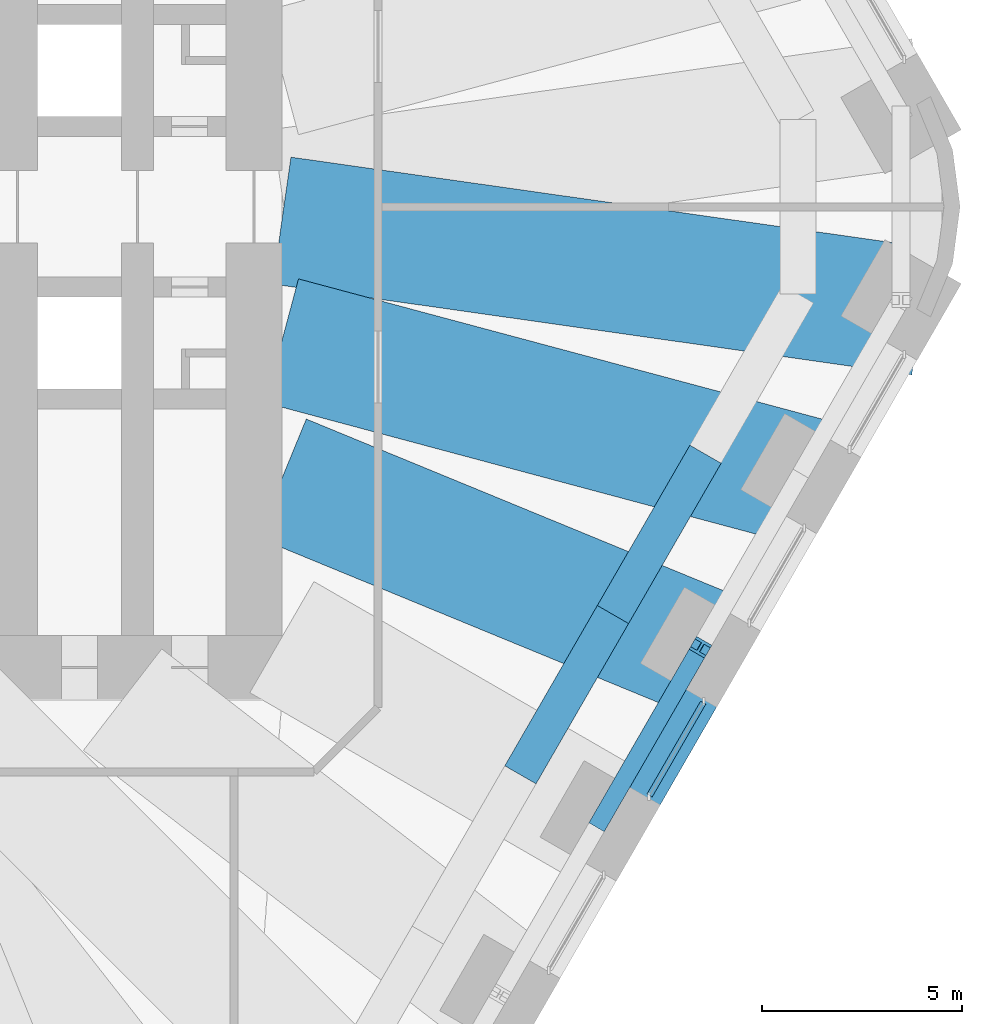
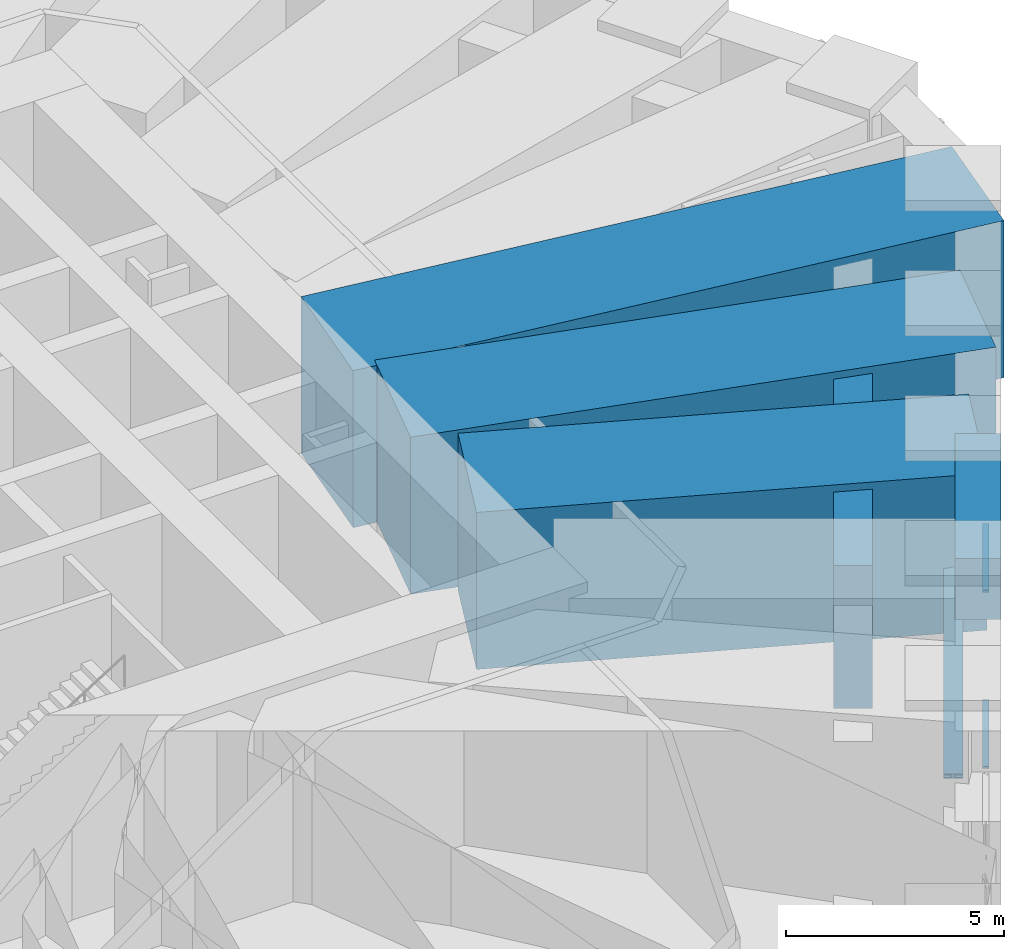
# One storey, part 5 of 16: 6 beams, 3 members, 1 element without a shape of its own.
"""IFC4 building model written with IfcOpenShell, lengths in metres."""

from ifc_helpers import new_model, si_unit, direction, frame, origin, origin_2d, place, context, subcontext, project, spatial, rectangle, i_section, extrude, material, material_profile, profile_set, type_object, element, aggregate, save


model = new_model("IFC4")

# Units and contexts
model_context = context("Model", 3, precision=1e-05, world=origin(), true_north=direction((0.0, 1.0)))
body_context = subcontext(model_context, "Body", "Model", "MODEL_VIEW")
ifc_project = project(units=[si_unit("LENGTHUNIT", "METRE"), si_unit("AREAUNIT", "SQUARE_METRE"), si_unit("VOLUMEUNIT", "CUBIC_METRE"), si_unit("PLANEANGLEUNIT", "RADIAN"), si_unit("MASSUNIT", "GRAM", prefix="KILO")], contexts=[model_context])

# Site, building, storey
site_placement = place(None, origin())
site = spatial("IfcSite", under=ifc_project, at=site_placement, CompositionType="ELEMENT")
building_placement = place(site_placement, origin())
building = spatial("IfcBuilding", under=site, at=building_placement, Name="Tarfa Lantern Tower", CompositionType="ELEMENT")
storey_placement = place(building_placement, frame((0.0, 0.0, 203.5)))
storey = spatial("IfcBuildingStorey", under=building, at=storey_placement, Name="L46", CompositionType="ELEMENT", Elevation=203.5)

# Member
ifc_material_1 = material(Name="Steel S460M", Category="steel")
ifc_material_profile_1 = material_profile(ifc_material_1, i_section(OverallWidth=0.44189453125, OverallDepth=0.531005859375, WebThickness=0.06591796875, FlangeThickness=0.10595703125, FilletRadius=0.02001953125, at=origin_2d()), Name="HD400x900")
ifc_profile_set_1 = profile_set([ifc_material_profile_1], Name="Steel S460M")
member_type_1 = type_object("IfcMemberType", Name="BT2 HD400x900", PredefinedType="BRACE", material=ifc_profile_set_1)
member_1_placement = place(storey_placement, frame((26.543701171875, -15.324951171875, 0.60009765625), z_axis=(0.360813525196, 0.624971138743, 0.69226055483), x_axis=(-0.866033642122, 0.49998573051, 0.0)))
element("IfcMember", 1, at=member_1_placement, inside=storey, type_object=member_type_1, Name="Belt truss diagonal 39", PredefinedType="BRACE", context=body_context, shape_type="SweptSolid", body=[
    extrude(i_section(OverallWidth=0.44189453125, OverallDepth=0.531005859375, WebThickness=0.06591796875, FlangeThickness=0.10595703125, FilletRadius=0.02001953125, at=origin_2d()), origin(), (0.0, 0.0, 1.0), 6.93359375),
])

# Curtain wall, members
ifc_material_2 = material(Name="Aluminium framed curtain wall", Category="aluminium")
curtain_wall_type = type_object("IfcCurtainWallType", Name="CW6 LOUVRED SCREEN WALL 5000", PredefinedType="USERDEFINED", material=ifc_material_2)
curtain_wall_placement = place(storey_placement, origin())
curtain_wall = element("IfcCurtainWall", 2, at=curtain_wall_placement, inside=storey, type_object=curtain_wall_type, Name="CW6 SE L46", ObjectType="CURTAIN WALL", PredefinedType="USERDEFINED")
ifc_material_3 = material(Name="Aluminium transom", Category="aluminium")
ifc_material_profile_2 = material_profile(ifc_material_3, rectangle(XDim=0.14990234375, YDim=0.06494140625, at=origin_2d()), Name="AL TRANSOM 150x65")
ifc_profile_set_2 = profile_set([ifc_material_profile_2], Name="Aluminium transom")
member_type_2 = type_object("IfcMemberType", Name="CWT1 TRANSOM 150x65", PredefinedType="USERDEFINED", material=ifc_profile_set_2)
member_2_placement = place(storey_placement, frame((27.775634765625, -14.691162109375, 0.032470703125), z_axis=(0.499988543184, 0.866032018279, 0.0), x_axis=(-0.866032018279, 0.499988543184, 0.0)))
member_2 = element("IfcMember", 3, at=member_2_placement, type_object=member_type_2, Name="CW6 transom 1.1", ObjectType="TRANSOM", PredefinedType="USERDEFINED", context=body_context, shape_type="SweptSolid", body=[
    extrude(rectangle(XDim=0.14990234375, YDim=0.06494140625, at=origin_2d()), origin(), (0.0, 0.0, 1.0), 2.673828125),
])
member_3_placement = place(storey_placement, frame((27.775634765625, -14.691162109375, 4.967529296875), z_axis=(0.499988543184, 0.866032018279, 0.0), x_axis=(-0.866032018279, 0.499988543184, 0.0)))
member_3 = element("IfcMember", 4, at=member_3_placement, type_object=member_type_2, Name="CW6 transom 1.2", ObjectType="TRANSOM", PredefinedType="USERDEFINED", context=body_context, shape_type="SweptSolid", body=[
    extrude(rectangle(XDim=0.14990234375, YDim=0.06494140625, at=origin_2d()), origin(), (0.0, 0.0, 1.0), 2.673828125),
])
aggregate(curtain_wall, [member_2, member_3])

# Beams
ifc_material_4 = material(Name="Concrete C80/95", Category="concrete")
ifc_material_profile_3 = material_profile(ifc_material_4, rectangle(XDim=1.050048828125, YDim=1.699951171875, at=origin_2d()), Name="RC 1050x1700")
ifc_profile_set_3 = profile_set([ifc_material_profile_3], Name="Concrete C80/95")
beam_type_1 = type_object("IfcBeamType", Name="RB2 RC 1050x1700", PredefinedType="BEAM", material=ifc_profile_set_3)
beam_1_placement = place(storey_placement, frame((27.037353515625, -15.610107421875, 5.85009765625), z_axis=(0.499964603504, 0.866045838996, 0.0), x_axis=(-0.866045838996, 0.499964603504, 0.0)))
element("IfcBeam", 5, at=beam_1_placement, inside=storey, type_object=beam_type_1, Name="Edge beam SE3", PredefinedType="BEAM", context=body_context, shape_type="SweptSolid", body=[
    extrude(rectangle(XDim=1.050048828125, YDim=1.699951171875, at=origin_2d()), origin(), (0.0, 0.0, 1.0), 5.003662109375),
])
ifc_material_profile_4 = material_profile(ifc_material_4, rectangle(XDim=0.89990234375, YDim=4.0, at=origin_2d()), Name="RC 900x4000")
ifc_profile_set_4 = profile_set([ifc_material_profile_4], Name="Concrete C80/95")
beam_type_2 = type_object("IfcBeamType", Name="RG2 RC 900x4000", PredefinedType="BEAM", material=ifc_profile_set_4)
beam_2_placement = place(storey_placement, frame((24.5517578125, -14.175048828125, 4.5), z_axis=(0.500027479704, 0.866009537788, 0.0), x_axis=(-0.866009537788, 0.500027479704, 0.0)))
element("IfcBeam", 6, at=beam_2_placement, inside=storey, type_object=beam_type_2, Name="Ring girder SE3", PredefinedType="BEAM", context=body_context, shape_type="SweptSolid", body=[
    extrude(rectangle(XDim=0.89990234375, YDim=4.0, at=origin_2d()), origin(), (0.0, 0.0, 1.0), 4.618896484375),
])
beam_3_placement = place(storey_placement, frame((26.861328125, -10.175048828125, 4.5), z_axis=(0.499987836815, 0.866032426089, 0.0), x_axis=(-0.866032426089, 0.499987836815, 0.0)))
element("IfcBeam", 7, at=beam_3_placement, inside=storey, type_object=beam_type_2, Name="Ring girder SE4", PredefinedType="BEAM", context=body_context, shape_type="SweptSolid", body=[
    extrude(rectangle(XDim=0.89990234375, YDim=4.0, at=origin_2d()), origin(), (0.0, 0.0, 1.0), 4.61865234375),
])
ifc_material_profile_5 = material_profile(ifc_material_4, rectangle(XDim=3.199951171875, YDim=4.39990234375, at=origin_2d()), Name="RC 3200x4400")
ifc_profile_set_5 = profile_set([ifc_material_profile_5], Name="Concrete C80/95")
beam_type_3 = type_object("IfcBeamType", Name="TG2 RC 3200x4400", PredefinedType="BEAM", material=ifc_profile_set_5)
beam_4_placement = place(storey_placement, frame((29.5390625, -11.276611328125, 4.5), z_axis=(-0.924798167794, 0.380458077645, 0.0), x_axis=(-0.380458077645, -0.924798167794, 0.0)))
element("IfcBeam", 8, at=beam_4_placement, inside=storey, type_object=beam_type_3, Name="Transfer girder SE4", PredefinedType="BEAM", context=body_context, shape_type="SweptSolid", body=[
    extrude(rectangle(XDim=3.199951171875, YDim=4.39990234375, at=origin_2d()), origin(), (0.0, 0.0, 1.0), 11.828369140625),
])
beam_5_placement = place(storey_placement, frame((32.041015625, -6.943359375, 4.5), z_axis=(-0.965990168445, 0.258578797406, 0.0), x_axis=(-0.258578797406, -0.965990168445, 0.0)))
element("IfcBeam", 9, at=beam_5_placement, inside=storey, type_object=beam_type_3, Name="Transfer girder SE5", PredefinedType="BEAM", context=body_context, shape_type="SweptSolid", body=[
    extrude(rectangle(XDim=3.199951171875, YDim=4.39990234375, at=origin_2d()), origin(), (0.0, 0.0, 1.0), 13.9140625),
])
beam_6_placement = place(storey_placement, frame((34.54296875, -2.610107421875, 4.5), z_axis=(-0.990063486473, 0.140621096399, 0.0), x_axis=(-0.140621096399, -0.990063486473, 0.0)))
element("IfcBeam", 10, at=beam_6_placement, inside=storey, type_object=beam_type_3, Name="Transfer girder SE6", PredefinedType="BEAM", context=body_context, shape_type="SweptSolid", body=[
    extrude(rectangle(XDim=3.199951171875, YDim=4.39990234375, at=origin_2d()), origin(), (0.0, 0.0, 1.0), 16.102783203125),
])

save(model, "model.ifc")
